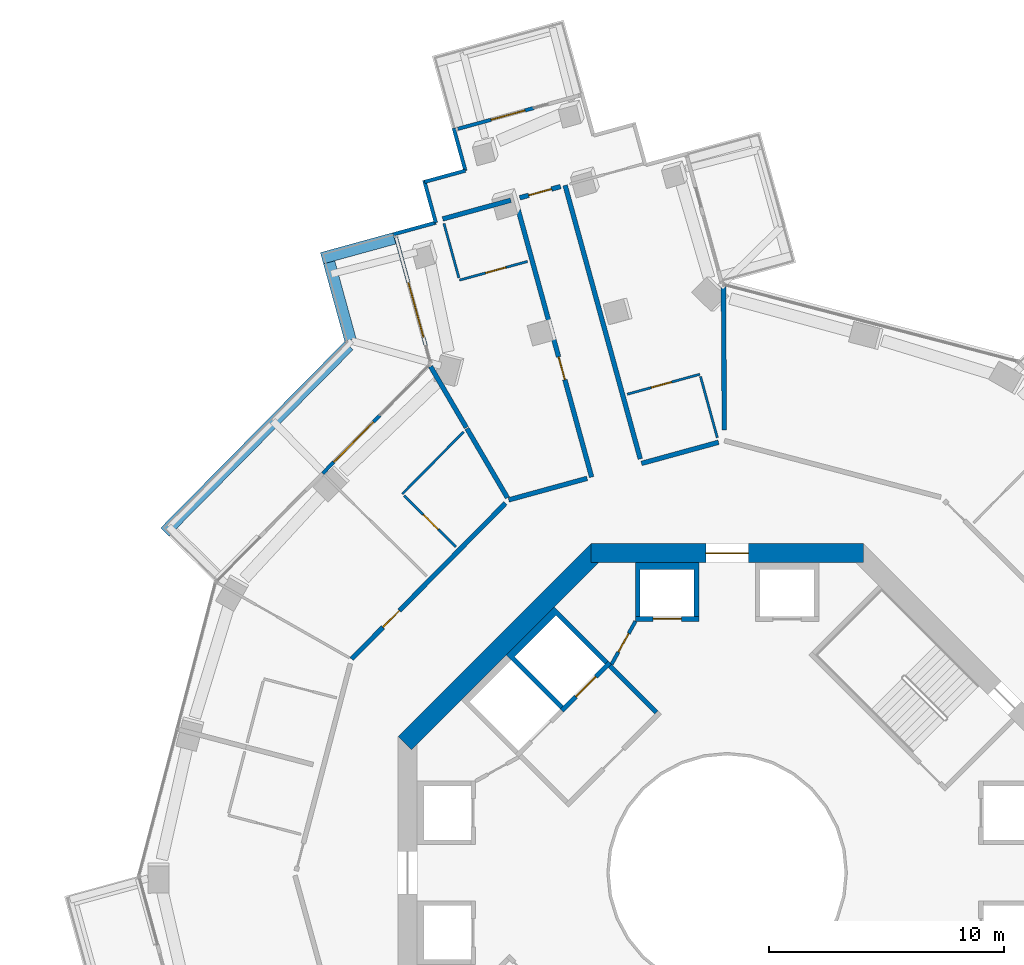
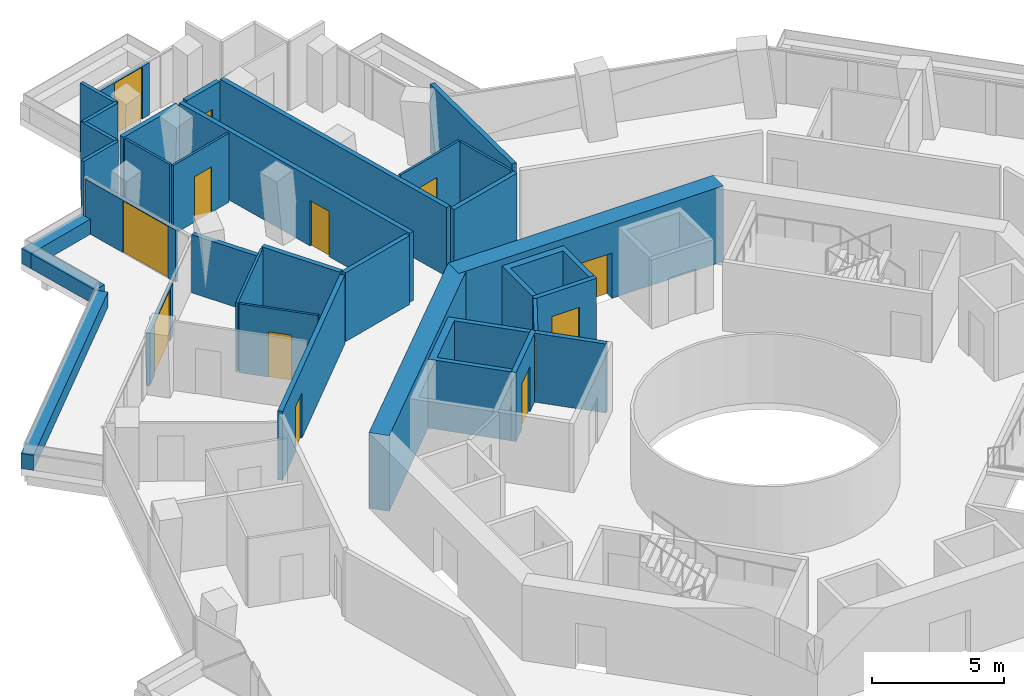
# One storey, part 21 of 26: 34 walls, 13 doors, 13 openings.
"""IFC4 building model written with IfcOpenShell, lengths in metres."""

from ifc_helpers import new_model, si_unit, direction, frame, frame_2d, origin, place, context, subcontext, project, spatial, polyline, rectangle, outline, extrude, material, layer, layer_set, type_object, element, fill, save


model = new_model("IFC4")

# Units and contexts
model_context = context("Model", 3, precision=1e-05, world=origin(), true_north=direction((0.0, 1.0)))
body_context = subcontext(model_context, "Body", "Model", "MODEL_VIEW")
ifc_project = project(units=[si_unit("LENGTHUNIT", "METRE"), si_unit("AREAUNIT", "SQUARE_METRE"), si_unit("VOLUMEUNIT", "CUBIC_METRE"), si_unit("PLANEANGLEUNIT", "RADIAN"), si_unit("MASSUNIT", "GRAM", prefix="KILO")], contexts=[model_context])

# Site, building, storey
site_placement = place(None, origin())
site = spatial("IfcSite", under=ifc_project, at=site_placement, CompositionType="ELEMENT")
building_placement = place(site_placement, origin())
building = spatial("IfcBuilding", under=site, at=building_placement, Name="Verdalira Terraces Hotel", CompositionType="ELEMENT")
storey_placement = place(building_placement, frame((0.0, 0.0, 96.5)))
storey = spatial("IfcBuildingStorey", under=building, at=storey_placement, Name="L22", CompositionType="ELEMENT", Elevation=96.5)

# Walls
ifc_material_1 = material(Name="Concrete C40", Category="concrete")
ifc_layer_1 = layer(ifc_material_1, 0.5)
ifc_layer_set_1 = layer_set([ifc_layer_1], Name="Balcony planter trough with tree")
wall_type_1 = type_object("IfcWallType", Name="Balcony planter trough with tree", PredefinedType="SOLIDWALL", material=ifc_layer_set_1)
wall_1_placement = place(storey_placement, frame((-14.156738, 26.99292, 0.0), z_axis=(0.0, 0.0, 1.0), x_axis=(-0.964295581, -0.264828308, 0.0)))
element("IfcWall", 1, at=wall_1_placement, inside=storey, type_object=wall_type_1, Name="Balcony planter", PredefinedType="SOLIDWALL", context=body_context, shape_type="SweptSolid", body=[
    extrude(rectangle(XDim=3.198975, YDim=0.5, at=frame_2d((1.599609, 0.0))), origin(), (0.0, 0.0, 1.0), 0.699951),
])
wall_2_placement = place(storey_placement, frame((-16.934082, 25.970703, 0.0), z_axis=(0.0, 0.0, 1.0), x_axis=(0.264909461, -0.96427329, 0.0)))
element("IfcWall", 2, at=wall_2_placement, inside=storey, type_object=wall_type_1, Name="Balcony planter", PredefinedType="SOLIDWALL", context=body_context, shape_type="SweptSolid", body=[
    extrude(rectangle(XDim=3.422852, YDim=0.5, at=frame_2d((1.711426, 0.0))), origin(), (0.0, 0.0, 1.0), 0.699951),
])
wall_3_placement = place(storey_placement, frame((-16.090576, 22.428223, 0.0), z_axis=(0.0, 0.0, 1.0), x_axis=(-0.702659942, -0.71152583, 0.0)))
element("IfcWall", 3, at=wall_3_placement, inside=storey, type_object=wall_type_1, Name="Balcony planter", PredefinedType="SOLIDWALL", context=body_context, shape_type="SweptSolid", body=[
    extrude(rectangle(XDim=11.152588, YDim=0.5, at=frame_2d((5.576172, 0.0))), origin(), (0.0, 0.0, 1.0), 0.699951),
])

# Wall, opening, door
ifc_material_2 = material(Name="Moisture-resistant gypsum board partition")
ifc_layer_2 = layer(ifc_material_2, 0.10009765625)
ifc_layer_set_2 = layer_set([ifc_layer_2], Name="Bathroom partition 100 mm")
wall_type_2 = type_object("IfcWallType", Name="Bathroom partition 100 mm", PredefinedType="PARTITIONING", material=ifc_layer_set_2)
wall_4_placement = place(storey_placement, frame((-13.748291, 16.047607, 0.0), z_axis=(0.0, 0.0, 1.0), x_axis=(0.711542382, -0.70264318, 0.0)))
wall_4 = element("IfcWall", 4, at=wall_4_placement, inside=storey, type_object=wall_type_2, Name="Bathroom partition", PredefinedType="PARTITIONING", context=body_context, shape_type="SweptSolid", body=[
    extrude(rectangle(XDim=3.100098, YDim=0.100098, at=frame_2d((1.550049, 0.0))), origin(), (0.0, 0.0, 1.0), 3.189941),
])
opening_1_placement = place(wall_4_placement, frame((1.149902, 0.0, 0.0)))
opening_1 = element("IfcOpeningElement", 5, at=opening_1_placement, cuts=wall_4, Name="Opening L22-109", PredefinedType="OPENING", context=body_context, shape_type="SweptSolid", body=[
    extrude(rectangle(XDim=0.899902, YDim=2.100098, at=frame_2d((0.449951, 1.050049))), frame((0.0, 0.060059, 0.0), z_axis=(0.0, -1.0, 0.0), x_axis=(1.0, 0.0, 0.0)), (0.0, 0.0, 1.0), 0.120117),
])
ifc_material_3 = material(Name="Timber door", Category="wood")
door_type_1 = type_object("IfcDoorType", Name="Bathroom door 900 x 2100", OperationType="NOTDEFINED", PredefinedType="DOOR", material=ifc_material_3)
door_1_placement = place(opening_1_placement, origin())
door_1 = element("IfcDoor", 6, at=door_1_placement, inside=storey, type_object=door_type_1, Name="Bathroom door 2203", OperationType="SINGLE_SWING_LEFT", OverallHeight=2.10009765625, OverallWidth=0.89990234375, PredefinedType="DOOR", context=body_context, shape_type="SweptSolid", body=[
    extrude(rectangle(XDim=0.899902, YDim=2.100098, at=frame_2d((0.449951, 1.050049))), frame((0.0, 0.024902, 0.0), z_axis=(0.0, -1.0, 0.0), x_axis=(1.0, 0.0, 0.0)), (0.0, 0.0, 1.0), 0.050049),
])
fill(opening_1, door_1)

# Walls
wall_5_placement = place(storey_placement, frame((-11.216797, 18.753418, 0.0), z_axis=(0.0, 0.0, 1.0), x_axis=(-0.702643586, -0.711541981, 0.0)))
element("IfcWall", 7, at=wall_5_placement, inside=storey, type_object=wall_type_2, Name="Bathroom partition", PredefinedType="PARTITIONING", context=body_context, shape_type="SweptSolid", body=[
    extrude(rectangle(XDim=3.703857, YDim=0.100098, at=frame_2d((1.852051, 0.0))), origin(), (0.0, 0.0, 1.0), 3.189941),
])
wall_6_placement = place(storey_placement, frame((-11.411865, 25.310059, 0.0), z_axis=(0.0, 0.0, 1.0), x_axis=(-0.264898756, 0.964276231, 0.0)))
element("IfcWall", 8, at=wall_6_placement, inside=storey, type_object=wall_type_2, Name="Bathroom partition", PredefinedType="PARTITIONING", context=body_context, shape_type="SweptSolid", body=[
    extrude(rectangle(XDim=2.399902, YDim=0.100098, at=frame_2d((1.199951, 0.0))), origin(), (0.0, 0.0, 1.0), 3.189941),
])

# Wall, opening, door
wall_7_placement = place(storey_placement, frame((-11.385254, 25.213623, 0.0), z_axis=(0.0, 0.0, 1.0), x_axis=(0.964277658, 0.264893559, 0.0)))
wall_7 = element("IfcWall", 9, at=wall_7_placement, inside=storey, type_object=wall_type_2, Name="Bathroom partition", PredefinedType="PARTITIONING", context=body_context, shape_type="SweptSolid", body=[
    extrude(rectangle(XDim=3.0, YDim=0.100098, at=frame_2d((1.5, 0.0))), origin(), (0.0, 0.0, 1.0), 3.189941),
])
opening_2_placement = place(wall_7_placement, frame((1.149902, 0.0, 0.0)))
opening_2 = element("IfcOpeningElement", 10, at=opening_2_placement, cuts=wall_7, Name="Opening L22-105", PredefinedType="OPENING", context=body_context, shape_type="SweptSolid", body=[
    extrude(rectangle(XDim=0.899902, YDim=2.100098, at=frame_2d((0.449951, 1.050049))), frame((0.0, 0.060059, 0.0), z_axis=(0.0, -1.0, 0.0), x_axis=(1.0, 0.0, 0.0)), (0.0, 0.0, 1.0), 0.120117),
])
door_2_placement = place(opening_2_placement, origin())
door_2 = element("IfcDoor", 11, at=door_2_placement, inside=storey, type_object=door_type_1, Name="Bathroom door 2202", OperationType="SINGLE_SWING_LEFT", OverallHeight=2.10009765625, OverallWidth=0.89990234375, PredefinedType="DOOR", context=body_context, shape_type="SweptSolid", body=[
    extrude(rectangle(XDim=0.899902, YDim=2.100098, at=frame_2d((0.449951, 1.050049))), frame((0.0, 0.024902, 0.0), z_axis=(0.0, -1.0, 0.0), x_axis=(1.0, 0.0, 0.0)), (0.0, 0.0, 1.0), 0.050049),
])
fill(opening_2, door_2)

wall_8_placement = place(storey_placement, frame((-1.15918, 21.20874, 0.0), z_axis=(0.0, 0.0, 1.0), x_axis=(-0.964283368, -0.264872773, 0.0)))
wall_8 = element("IfcWall", 12, at=wall_8_placement, inside=storey, type_object=wall_type_2, Name="Bathroom partition", PredefinedType="PARTITIONING", context=body_context, shape_type="SweptSolid", body=[
    extrude(rectangle(XDim=3.200195, YDim=0.100098, at=frame_2d((1.600098, 0.0))), origin(), (0.0, 0.0, 1.0), 3.189941),
])
opening_3_placement = place(wall_8_placement, frame((1.25, 0.0, 0.0)))
opening_3 = element("IfcOpeningElement", 13, at=opening_3_placement, cuts=wall_8, Name="Opening L22-103", PredefinedType="OPENING", context=body_context, shape_type="SweptSolid", body=[
    extrude(rectangle(XDim=0.899902, YDim=2.100098, at=frame_2d((0.449951, 1.050049))), frame((0.0, 0.060059, 0.0), z_axis=(0.0, -1.0, 0.0), x_axis=(1.0, 0.0, 0.0)), (0.0, 0.0, 1.0), 0.120117),
])
door_3_placement = place(opening_3_placement, origin())
door_3 = element("IfcDoor", 14, at=door_3_placement, inside=storey, type_object=door_type_1, Name="Bathroom door 2201", OperationType="SINGLE_SWING_LEFT", OverallHeight=2.10009765625, OverallWidth=0.89990234375, PredefinedType="DOOR", context=body_context, shape_type="SweptSolid", body=[
    extrude(rectangle(XDim=0.899902, YDim=2.100098, at=frame_2d((0.449951, 1.050049))), frame((0.0, 0.024902, 0.0), z_axis=(0.0, -1.0, 0.0), x_axis=(1.0, 0.0, 0.0)), (0.0, 0.0, 1.0), 0.050049),
])
fill(opening_3, door_3)

# Walls
wall_9_placement = place(storey_placement, frame((-0.41748, 18.508789, 0.0), z_axis=(0.0, 0.0, 1.0), x_axis=(-0.264937907, 0.964265475, 0.0)))
element("IfcWall", 15, at=wall_9_placement, inside=storey, type_object=wall_type_2, Name="Bathroom partition", PredefinedType="PARTITIONING", context=body_context, shape_type="SweptSolid", body=[
    extrude(rectangle(XDim=2.699951, YDim=0.100098, at=frame_2d((1.350098, 0.0))), origin(), (0.0, 0.0, 1.0), 3.189941),
])
ifc_material_4 = material(Name="Concrete C50", Category="concrete")
ifc_layer_3 = layer(ifc_material_4, 0.199951171875)
ifc_layer_set_3 = layer_set([ifc_layer_3], Name="Core RC wall 200 C50")
wall_type_3 = type_object("IfcWallType", Name="Core RC wall 200 C50", PredefinedType="SOLIDWALL", material=ifc_layer_set_3)
wall_10_placement = place(storey_placement, origin())
element("IfcWall", 16, at=wall_10_placement, inside=storey, type_object=wall_type_3, Name="L22 shaft wall N2", PredefinedType="SOLIDWALL", context=body_context, shape_type="SweptSolid", body=[
    extrude(outline(polyline([(-3.899902, 10.899902), (-3.899902, 13.199951), (-1.199951, 13.199951), (-1.199951, 10.899902), (-1.399902, 10.899902), (-1.399902, 12.899902), (-3.699951, 12.899902), (-3.699951, 10.899902), (-3.899902, 10.899902)])), origin(), (0.0, 0.0, 1.0), 3.189941),
])

# Wall, opening, door
wall_11_placement = place(storey_placement, frame((-1.199951, 10.800049, 0.0), z_axis=(0.0, 0.0, 1.0), x_axis=(-1.0, 0.0, 0.0)))
wall_11 = element("IfcWall", 17, at=wall_11_placement, inside=storey, type_object=wall_type_3, Name="L22 shaft front wall N2", PredefinedType="SOLIDWALL", context=body_context, shape_type="SweptSolid", body=[
    extrude(rectangle(XDim=2.699951, YDim=0.199951, at=frame_2d((1.350098, 0.0))), origin(), (0.0, 0.0, 1.0), 3.189941),
])
opening_4_placement = place(wall_11_placement, frame((0.75, 0.0, 0.0)))
opening_4 = element("IfcOpeningElement", 18, at=opening_4_placement, cuts=wall_11, Name="Opening LD-L22-804", PredefinedType="OPENING", context=body_context, shape_type="SweptSolid", body=[
    extrude(rectangle(XDim=1.199951, YDim=2.100098, at=frame_2d((0.600098, 1.050049))), frame((0.0, 0.109863, 0.0), z_axis=(0.0, -1.0, 0.0), x_axis=(1.0, 0.0, 0.0)), (0.0, 0.0, 1.0), 0.219971),
])
ifc_material_5 = material(Name="Stainless steel", Category="steel")
door_type_2 = type_object("IfcDoorType", Name="Landing door 1200 x 2100", OperationType="NOTDEFINED", PredefinedType="DOOR", material=ifc_material_5)
door_4_placement = place(opening_4_placement, origin())
door_4 = element("IfcDoor", 19, at=door_4_placement, inside=storey, type_object=door_type_2, Name="Lift landing door LR4 L22", OperationType="DOUBLE_DOOR_SLIDING", OverallHeight=2.10009765625, OverallWidth=1.199951171875, PredefinedType="DOOR", context=body_context, shape_type="SweptSolid", body=[
    extrude(rectangle(XDim=1.199951, YDim=2.100098, at=frame_2d((0.600098, 1.050049))), frame((0.0, 0.024902, 0.0), z_axis=(0.0, -1.0, 0.0), x_axis=(1.0, 0.0, 0.0)), (0.0, 0.0, 1.0), 0.050049),
])
fill(opening_4, door_4)

# Wall
wall_12_placement = place(storey_placement, origin())
element("IfcWall", 20, at=wall_12_placement, inside=storey, type_object=wall_type_3, Name="L22 shaft wall F1", PredefinedType="SOLIDWALL", context=body_context, shape_type="SweptSolid", body=[
    extrude(outline(polyline([(-9.404541, 9.263184), (-7.354004, 11.313721), (-5.055908, 9.015625), (-5.197266, 8.874268), (-7.283203, 10.960205), (-9.051025, 9.192383), (-6.965088, 7.106445), (-7.106445, 6.965088), (-9.404541, 9.263184)])), origin(), (0.0, 0.0, 1.0), 3.189941),
])

# Wall, opening, door
wall_13_placement = place(storey_placement, frame((-4.985107, 8.944824, 0.0), z_axis=(0.0, 0.0, 1.0), x_axis=(-0.707106781, -0.707106781, 0.0)))
wall_13 = element("IfcWall", 21, at=wall_13_placement, inside=storey, type_object=wall_type_3, Name="L22 shaft front wall F1", PredefinedType="SOLIDWALL", context=body_context, shape_type="SweptSolid", body=[
    extrude(rectangle(XDim=2.899902, YDim=0.199951, at=frame_2d((1.449951, 0.0))), origin(), (0.0, 0.0, 1.0), 3.189941),
])
opening_5_placement = place(wall_13_placement, frame((0.850098, 0.0, 0.0)))
opening_5 = element("IfcOpeningElement", 22, at=opening_5_placement, cuts=wall_13, Name="Opening LD-L22-807", PredefinedType="OPENING", context=body_context, shape_type="SweptSolid", body=[
    extrude(rectangle(XDim=1.199951, YDim=2.100098, at=frame_2d((0.600098, 1.050049))), frame((0.0, 0.109863, 0.0), z_axis=(0.0, -1.0, 0.0), x_axis=(1.0, 0.0, 0.0)), (0.0, 0.0, 1.0), 0.219971),
])
door_5_placement = place(opening_5_placement, origin())
door_5 = element("IfcDoor", 23, at=door_5_placement, inside=storey, type_object=door_type_2, Name="Lift landing door LF11 L22", OperationType="DOUBLE_DOOR_SLIDING", OverallHeight=2.10009765625, OverallWidth=1.199951171875, PredefinedType="DOOR", context=body_context, shape_type="SweptSolid", body=[
    extrude(rectangle(XDim=1.199951, YDim=2.100098, at=frame_2d((0.600098, 1.050049))), frame((0.0, 0.024902, 0.0), z_axis=(0.0, -1.0, 0.0), x_axis=(1.0, 0.0, 0.0)), (0.0, 0.0, 1.0), 0.050049),
])
fill(opening_5, door_5)

# Wall
wall_14_placement = place(storey_placement, frame((-3.005127, 6.823486, 0.0), z_axis=(0.0, 0.0, 1.0), x_axis=(-0.707106781, 0.707106781, 0.0)))
element("IfcWall", 24, at=wall_14_placement, inside=storey, type_object=wall_type_3, Name="L22 fire lobby wall", PredefinedType="SOLIDWALL", context=body_context, shape_type="SweptSolid", body=[
    extrude(rectangle(XDim=2.800049, YDim=0.199951, at=frame_2d((1.399902, 0.0))), origin(), (0.0, 0.0, 1.0), 3.189941),
])

# Wall, opening, door
ifc_material_6 = material(Name="Gypsum board partition")
ifc_layer_4 = layer(ifc_material_6, 0.14990234375)
ifc_layer_set_4 = layer_set([ifc_layer_4], Name="Core partition 150 mm")
wall_type_4 = type_object("IfcWallType", Name="Core partition 150 mm", PredefinedType="PARTITIONING", material=ifc_layer_set_4)
wall_15_placement = place(storey_placement, frame((-3.899902, 10.699951, 0.0), z_axis=(0.0, 0.0, 1.0), x_axis=(-0.485692555, -0.874129705, 0.0)))
wall_15 = element("IfcWall", 25, at=wall_15_placement, inside=storey, type_object=wall_type_4, Name="Room partition L22", PredefinedType="PARTITIONING", context=body_context, shape_type="SweptSolid", body=[
    extrude(rectangle(XDim=2.088623, YDim=0.149902, at=frame_2d((1.044434, 0.0))), origin(), (0.0, 0.0, 1.0), 3.189941),
])
opening_6_placement = place(wall_15_placement, frame((0.594238, 0.0, 0.0)))
opening_6 = element("IfcOpeningElement", 26, at=opening_6_placement, cuts=wall_15, Name="Opening L22-820", PredefinedType="OPENING", context=body_context, shape_type="SweptSolid", body=[
    extrude(rectangle(XDim=0.899902, YDim=2.100098, at=frame_2d((0.449951, 1.050049))), frame((0.0, 0.084961, 0.0), z_axis=(0.0, -1.0, 0.0), x_axis=(1.0, 0.0, 0.0)), (0.0, 0.0, 1.0), 0.169922),
])
ifc_material_7 = material(Name="Steel fire door", Category="steel")
door_type_3 = type_object("IfcDoorType", Name="Core room door 900 x 2100", OperationType="NOTDEFINED", PredefinedType="DOOR", material=ifc_material_7)
door_6_placement = place(opening_6_placement, origin())
door_6 = element("IfcDoor", 27, at=door_6_placement, inside=storey, type_object=door_type_3, Name="Door L22 room2", OperationType="SINGLE_SWING_LEFT", OverallHeight=2.10009765625, OverallWidth=0.89990234375, PredefinedType="DOOR", context=body_context, shape_type="SweptSolid", body=[
    extrude(rectangle(XDim=0.899902, YDim=2.100098, at=frame_2d((0.449951, 1.050049))), frame((0.0, 0.024902, 0.0), z_axis=(0.0, -1.0, 0.0), x_axis=(1.0, 0.0, 0.0)), (0.0, 0.0, 1.0), 0.050049),
])
fill(opening_6, door_6)

ifc_material_8 = material(Name="Concrete C70", Category="concrete")
ifc_layer_5 = layer(ifc_material_8, 0.800048828125)
ifc_layer_set_5 = layer_set([ifc_layer_5], Name="Core wall 800 C70")
wall_type_5 = type_object("IfcWallType", Name="Core wall 800 C70", PredefinedType="SHEAR", material=ifc_layer_set_5)
wall_16_placement = place(storey_placement, frame((5.799072, 13.600098, 0.0), z_axis=(0.0, 0.0, 1.0), x_axis=(-1.0, 0.0, 0.0)))
wall_16 = element("IfcWall", 28, at=wall_16_placement, inside=storey, type_object=wall_type_5, Name="Core wall CW-L22-3", PredefinedType="SHEAR", context=body_context, shape_type="SweptSolid", body=[
    extrude(rectangle(XDim=11.598145, YDim=0.800049, at=frame_2d((5.799072, 0.0))), origin(), (0.0, 0.0, 1.0), 3.5),
])
opening_7_placement = place(wall_16_placement, frame((4.898926, 0.0, 0.0)))
opening_7 = element("IfcOpeningElement", 29, at=opening_7_placement, cuts=wall_16, Name="Opening L22-813", PredefinedType="OPENING", context=body_context, shape_type="SweptSolid", body=[
    extrude(rectangle(XDim=1.800049, YDim=2.100098, at=frame_2d((0.899902, 1.050049))), frame((0.0, 0.409912, 0.0), z_axis=(0.0, -1.0, 0.0), x_axis=(1.0, 0.0, 0.0)), (0.0, 0.0, 1.0), 0.820068),
])
ifc_material_9 = material(Name="Steel fire door", Category="steel")
door_type_4 = type_object("IfcDoorType", Name="Core entry door pair 1800 x 2100", OperationType="NOTDEFINED", PredefinedType="DOOR", material=ifc_material_9)
door_7_placement = place(opening_7_placement, origin())
door_7 = element("IfcDoor", 30, at=door_7_placement, inside=storey, type_object=door_type_4, Name="Core entry door L22 2", OperationType="DOUBLE_DOOR_SINGLE_SWING", OverallHeight=2.10009765625, OverallWidth=1.800048828125, PredefinedType="DOOR", context=body_context, shape_type="SweptSolid", body=[
    extrude(rectangle(XDim=1.800049, YDim=2.100098, at=frame_2d((0.899902, 1.050049))), frame((0.0, 0.024902, 0.0), z_axis=(0.0, -1.0, 0.0), x_axis=(1.0, 0.0, 0.0)), (0.0, 0.0, 1.0), 0.050049),
])
fill(opening_7, door_7)

# Walls
wall_17_placement = place(storey_placement, frame((-5.516113, 13.717285, 0.0), z_axis=(0.0, 0.0, 1.0), x_axis=(-0.707106781, -0.707106781, 0.0)))
element("IfcWall", 31, at=wall_17_placement, inside=storey, type_object=wall_type_5, Name="Core wall CW-L22-4", PredefinedType="SHEAR", context=body_context, shape_type="SweptSolid", body=[
    extrude(rectangle(XDim=11.598145, YDim=0.800049, at=frame_2d((5.799072, 0.0))), origin(), (0.0, 0.0, 1.0), 3.5),
])
ifc_material_10 = material(Name="Fire-rated gypsum board wall")
ifc_layer_6 = layer(ifc_material_10, 0.199951171875)
ifc_layer_set_6 = layer_set([ifc_layer_6], Name="Demising wall 200 mm")
wall_type_6 = type_object("IfcWallType", Name="Demising wall 200 mm", PredefinedType="SOLIDWALL", material=ifc_layer_set_6)
wall_18_placement = place(storey_placement, frame((-9.205811, 28.612305, 0.0), z_axis=(0.0, 0.0, 1.0), x_axis=(-0.964280162, -0.264884444, 0.0)))
element("IfcWall", 32, at=wall_18_placement, inside=storey, type_object=wall_type_6, Name="Demising wall", PredefinedType="SOLIDWALL", context=body_context, shape_type="SweptSolid", body=[
    extrude(rectangle(XDim=3.003662, YDim=0.199951, at=frame_2d((1.501953, 0.0))), origin(), (0.0, 0.0, 1.0), 3.189941),
])
wall_19_placement = place(storey_placement, frame((-9.344482, 15.952881, 0.0), z_axis=(0.0, 0.0, 1.0), x_axis=(-0.505424382, 0.862870903, 0.0)))
element("IfcWall", 33, at=wall_19_placement, inside=storey, type_object=wall_type_6, Name="Demising wall", PredefinedType="SOLIDWALL", context=body_context, shape_type="SweptSolid", body=[
    extrude(rectangle(XDim=3.418457, YDim=0.199951, at=frame_2d((1.709229, 0.0))), origin(), (0.0, 0.0, 1.0), 3.189941),
])
wall_20_placement = place(storey_placement, frame((-0.156982, 24.963623, 0.0), z_axis=(0.0, 0.0, 1.0), x_axis=(0.006290436, -0.999980215, 0.0)))
element("IfcWall", 34, at=wall_20_placement, inside=storey, type_object=wall_type_6, Name="Demising wall", PredefinedType="SOLIDWALL", context=body_context, shape_type="SweptSolid", body=[
    extrude(rectangle(XDim=6.13208, YDim=0.199951, at=frame_2d((3.065918, 0.0))), origin(), (0.0, 0.0, 1.0), 3.189941),
])
ifc_material_11 = material(Name="Fire-rated gypsum board wall")
ifc_layer_7 = layer(ifc_material_11, 0.199951171875)
ifc_layer_set_7 = layer_set([ifc_layer_7], Name="Demising wall 200 mm to beam soffit")
wall_type_7 = type_object("IfcWallType", Name="Demising wall 200 mm to beam soffit", PredefinedType="SOLIDWALL", material=ifc_layer_set_7)
wall_21_placement = place(storey_placement, frame((-11.095703, 18.942139, 0.0), z_axis=(0.0, 0.0, 1.0), x_axis=(-0.505382416, 0.862895482, 0.0)))
element("IfcWall", 35, at=wall_21_placement, inside=storey, type_object=wall_type_7, Name="Demising wall", PredefinedType="SOLIDWALL", context=body_context, shape_type="SweptSolid", body=[
    extrude(rectangle(XDim=3.011475, YDim=0.199951, at=frame_2d((1.505859, 0.0))), origin(), (0.0, 0.0, 1.0), 2.689941),
])

# Wall, opening, door
ifc_material_12 = material(Name="Fire-rated gypsum board wall")
ifc_layer_8 = layer(ifc_material_12, 0.199951171875)
ifc_layer_set_8 = layer_set([ifc_layer_8], Name="Guest corridor wall 200 mm")
wall_type_8 = type_object("IfcWallType", Name="Guest corridor wall 200 mm", PredefinedType="SOLIDWALL", material=ifc_layer_set_8)
wall_22_placement = place(storey_placement, frame((-15.979004, 9.092285, 0.0), z_axis=(0.0, 0.0, 1.0), x_axis=(0.702650979, 0.71153468, 0.0)))
wall_22 = element("IfcWall", 36, at=wall_22_placement, inside=storey, type_object=wall_type_8, Name="Guest corridor wall", PredefinedType="SOLIDWALL", context=body_context, shape_type="SweptSolid", body=[
    extrude(rectangle(XDim=9.316406, YDim=0.199951, at=frame_2d((4.658203, 0.0))), origin(), (0.0, 0.0, 1.0), 3.189941),
])
opening_8_placement = place(wall_22_placement, frame((1.899902, 0.0, 0.0)))
opening_8 = element("IfcOpeningElement", 37, at=opening_8_placement, cuts=wall_22, Name="Opening L22-106", PredefinedType="OPENING", context=body_context, shape_type="SweptSolid", body=[
    extrude(rectangle(XDim=1.0, YDim=2.100098, at=frame_2d((0.5, 1.050049))), frame((0.0, 0.109863, 0.0), z_axis=(0.0, -1.0, 0.0), x_axis=(1.0, 0.0, 0.0)), (0.0, 0.0, 1.0), 0.219971),
])
ifc_material_13 = material(Name="Timber fire door", Category="wood")
door_type_5 = type_object("IfcDoorType", Name="Guest entry door 1000 x 2100", OperationType="NOTDEFINED", PredefinedType="DOOR", material=ifc_material_13)
door_8_placement = place(opening_8_placement, origin())
door_8 = element("IfcDoor", 38, at=door_8_placement, inside=storey, type_object=door_type_5, Name="Guest entry door 2203", OperationType="SINGLE_SWING_LEFT", OverallHeight=2.10009765625, OverallWidth=1.0, PredefinedType="DOOR", context=body_context, shape_type="SweptSolid", body=[
    extrude(rectangle(XDim=1.0, YDim=2.100098, at=frame_2d((0.5, 1.050049))), frame((0.0, 0.024902, 0.0), z_axis=(0.0, -1.0, 0.0), x_axis=(1.0, 0.0, 0.0)), (0.0, 0.0, 1.0), 0.050049),
])
fill(opening_8, door_8)

wall_23_placement = place(storey_placement, frame((-8.823975, 28.717285, 0.0), z_axis=(0.0, 0.0, 1.0), x_axis=(0.9642902, 0.264847899, 0.0)))
wall_23 = element("IfcWall", 39, at=wall_23_placement, inside=storey, type_object=wall_type_8, Name="Guest corridor wall", PredefinedType="SOLIDWALL", context=body_context, shape_type="SweptSolid", body=[
    extrude(rectangle(XDim=1.802246, YDim=0.199951, at=frame_2d((0.901123, 0.0))), origin(), (0.0, 0.0, 1.0), 3.189941),
])
opening_9_placement = place(wall_23_placement, frame((0.399902, 0.0, 0.0)))
opening_9 = element("IfcOpeningElement", 40, at=opening_9_placement, cuts=wall_23, Name="Opening L22-101", PredefinedType="OPENING", context=body_context, shape_type="SweptSolid", body=[
    extrude(rectangle(XDim=1.0, YDim=2.100098, at=frame_2d((0.5, 1.050049))), frame((0.0, 0.109863, 0.0), z_axis=(0.0, -1.0, 0.0), x_axis=(1.0, 0.0, 0.0)), (0.0, 0.0, 1.0), 0.219971),
])
door_9_placement = place(opening_9_placement, origin())
door_9 = element("IfcDoor", 41, at=door_9_placement, inside=storey, type_object=door_type_5, Name="Guest entry door 2201", OperationType="SINGLE_SWING_LEFT", OverallHeight=2.10009765625, OverallWidth=1.0, PredefinedType="DOOR", context=body_context, shape_type="SweptSolid", body=[
    extrude(rectangle(XDim=1.0, YDim=2.100098, at=frame_2d((0.5, 1.050049))), frame((0.0, 0.024902, 0.0), z_axis=(0.0, -1.0, 0.0), x_axis=(1.0, 0.0, 0.0)), (0.0, 0.0, 1.0), 0.050049),
])
fill(opening_9, door_9)

# Wall
wall_24_placement = place(storey_placement, frame((-5.95752, 16.779785, 0.0), z_axis=(0.0, 0.0, 1.0), x_axis=(-0.964263577, -0.264944813, 0.0)))
element("IfcWall", 42, at=wall_24_placement, inside=storey, type_object=wall_type_8, Name="Guest corridor wall", PredefinedType="SOLIDWALL", context=body_context, shape_type="SweptSolid", body=[
    extrude(rectangle(XDim=3.458252, YDim=0.199951, at=frame_2d((1.729004, 0.0))), origin(), (0.0, 0.0, 1.0), 3.189941),
])

# Wall, opening, door
wall_25_placement = place(storey_placement, frame((-5.764648, 16.83252, 0.0), z_axis=(0.0, 0.0, 1.0), x_axis=(-0.264881321, 0.96428102, 0.0)))
wall_25 = element("IfcWall", 43, at=wall_25_placement, inside=storey, type_object=wall_type_8, Name="Guest corridor wall", PredefinedType="SOLIDWALL", context=body_context, shape_type="SweptSolid", body=[
    extrude(rectangle(XDim=12.270508, YDim=0.199951, at=frame_2d((6.135254, 0.0))), origin(), (0.0, 0.0, 1.0), 3.189941),
])
opening_10_placement = place(wall_25_placement, frame((4.300049, 0.0, 0.0)))
opening_10 = element("IfcOpeningElement", 44, at=opening_10_placement, cuts=wall_25, Name="Opening L22-104", PredefinedType="OPENING", context=body_context, shape_type="SweptSolid", body=[
    extrude(rectangle(XDim=1.0, YDim=2.100098, at=frame_2d((0.5, 1.050049))), frame((0.0, 0.109863, 0.0), z_axis=(0.0, -1.0, 0.0), x_axis=(1.0, 0.0, 0.0)), (0.0, 0.0, 1.0), 0.219971),
])
door_10_placement = place(opening_10_placement, origin())
door_10 = element("IfcDoor", 45, at=door_10_placement, inside=storey, type_object=door_type_5, Name="Guest entry door 2202", OperationType="SINGLE_SWING_LEFT", OverallHeight=2.10009765625, OverallWidth=1.0, PredefinedType="DOOR", context=body_context, shape_type="SweptSolid", body=[
    extrude(rectangle(XDim=1.0, YDim=2.100098, at=frame_2d((0.5, 1.050049))), frame((0.0, 0.024902, 0.0), z_axis=(0.0, -1.0, 0.0), x_axis=(1.0, 0.0, 0.0)), (0.0, 0.0, 1.0), 0.050049),
])
fill(opening_10, door_10)

# Walls
wall_26_placement = place(storey_placement, frame((-3.696045, 17.608154, 0.0), z_axis=(0.0, 0.0, 1.0), x_axis=(-0.264881463, 0.964280981, 0.0)))
element("IfcWall", 46, at=wall_26_placement, inside=storey, type_object=wall_type_8, Name="Guest corridor wall", PredefinedType="SOLIDWALL", context=body_context, shape_type="SweptSolid", body=[
    extrude(rectangle(XDim=12.070557, YDim=0.199951, at=frame_2d((6.035156, 0.0))), origin(), (0.0, 0.0, 1.0), 3.189941),
])
wall_27_placement = place(storey_placement, frame((-0.364502, 18.315918, 0.0), z_axis=(0.0, 0.0, 1.0), x_axis=(-0.964283368, -0.264872773, 0.0)))
element("IfcWall", 47, at=wall_27_placement, inside=storey, type_object=wall_type_8, Name="Guest corridor wall", PredefinedType="SOLIDWALL", context=body_context, shape_type="SweptSolid", body=[
    extrude(rectangle(XDim=3.400146, YDim=0.199951, at=frame_2d((1.700195, 0.0))), origin(), (0.0, 0.0, 1.0), 3.189941),
])
ifc_material_14 = material(Name="Terracotta cladding", Category="masonry")
ifc_layer_9 = layer(ifc_material_14, 0.14990234375)
ifc_layer_set_9 = layer_set([ifc_layer_9], Name="Terracotta clad wall 150")
wall_type_9 = type_object("IfcWallType", Name="Terracotta clad wall 150", PredefinedType="SOLIDWALL", material=ifc_layer_set_9)
wall_28_placement = place(storey_placement, frame((-11.631836, 31.679199, 0.0), z_axis=(0.0, 0.0, 1.0), x_axis=(0.264956752, -0.964260297, 0.0)))
element("IfcWall", 48, at=wall_28_placement, inside=storey, type_object=wall_type_9, Name="Terracotta cladding wall", PredefinedType="SOLIDWALL", context=body_context, shape_type="SweptSolid", body=[
    extrude(rectangle(XDim=1.875, YDim=0.149902, at=frame_2d((0.9375, 0.0))), origin(), (0.0, 0.0, 1.0), 3.189941),
])
wall_29_placement = place(storey_placement, frame((-11.13501, 29.871094, 0.0), z_axis=(0.0, 0.0, 1.0), x_axis=(-0.964283368, -0.264872773, 0.0)))
element("IfcWall", 49, at=wall_29_placement, inside=storey, type_object=wall_type_9, Name="Terracotta cladding wall", PredefinedType="SOLIDWALL", context=body_context, shape_type="SweptSolid", body=[
    extrude(rectangle(XDim=1.800049, YDim=0.149902, at=frame_2d((0.899902, 0.0))), origin(), (0.0, 0.0, 1.0), 3.189941),
])
for number, where, z_axis, x_axis, name in (
    (50, (-12.890625, 29.466797, 0.0), (0.0, 0.0, 1.0), (0.264835686, -0.964293555, 0.0), "Terracotta cladding wall"),
    (51, (-12.394043, 27.658691, 0.0), (0.0, 0.0, 1.0), (-0.964293555, -0.264835686, 0.0), "Terracotta cladding wall"),
):
    element("IfcWall", number, at=place(storey_placement, frame(where, z_axis=z_axis, x_axis=x_axis)), inside=storey, type_object=wall_type_9, Name=name, PredefinedType="SOLIDWALL", context=body_context, shape_type="SweptSolid", body=[
        extrude(rectangle(XDim=1.875, YDim=0.149902, at=frame_2d((0.9375, 0.0))), origin(), (0.0, 0.0, 1.0), 3.189941),
    ])

# Wall, opening, door
ifc_material_15 = material(Name="Terracotta cladding", Category="masonry")
ifc_layer_10 = layer(ifc_material_15, 0.14990234375)
ifc_layer_set_10 = layer_set([ifc_layer_10], Name="Terracotta door pier 150")
wall_type_10 = type_object("IfcWallType", Name="Terracotta door pier 150", PredefinedType="SOLIDWALL", material=ifc_layer_set_10)
wall_30_placement = place(storey_placement, frame((-8.212891, 32.540527, 0.0), z_axis=(0.0, 0.0, 1.0), x_axis=(-0.964284071, -0.264870215, 0.0)))
wall_30 = element("IfcWall", 52, at=wall_30_placement, inside=storey, type_object=wall_type_10, Name="Terracotta door pier", PredefinedType="SOLIDWALL", context=body_context, shape_type="SweptSolid", body=[
    extrude(rectangle(XDim=3.369873, YDim=0.149902, at=frame_2d((1.685059, 0.0))), origin(), (0.0, 0.0, 1.0), 2.425049),
])
opening_11_placement = place(wall_30_placement, frame((0.399902, 0.0, 0.0)))
opening_11 = element("IfcOpeningElement", 53, at=opening_11_placement, cuts=wall_30, Name="Opening L22-B02", PredefinedType="OPENING", context=body_context, shape_type="SweptSolid", body=[
    extrude(rectangle(XDim=1.5, YDim=2.399902, at=frame_2d((0.75, 1.199951))), frame((0.0, 0.084961, 0.0), z_axis=(0.0, -1.0, 0.0), x_axis=(1.0, 0.0, 0.0)), (0.0, 0.0, 1.0), 0.169922),
])
ifc_material_16 = material(Name="Clear glass", Category="glass")
door_type_6 = type_object("IfcDoorType", Name="Balcony sliding door 1500x2400", OperationType="NOTDEFINED", PredefinedType="DOOR", material=ifc_material_16)
door_11_placement = place(opening_11_placement, origin())
door_11 = element("IfcDoor", 54, at=door_11_placement, inside=storey, type_object=door_type_6, Name="Balcony sliding door", OperationType="SLIDING_TO_RIGHT", OverallHeight=2.39990234375, OverallWidth=1.5, PredefinedType="DOOR", context=body_context, shape_type="SweptSolid", body=[
    extrude(rectangle(XDim=1.5, YDim=2.399902, at=frame_2d((0.75, 1.199951))), frame((0.0, 0.024902, 0.0), z_axis=(0.0, -1.0, 0.0), x_axis=(1.0, 0.0, 0.0)), (0.0, 0.0, 1.0), 0.050049),
])
fill(opening_11, door_11)

wall_31_placement = place(storey_placement, frame((-14.091309, 27.041992, 0.0), z_axis=(0.0, 0.0, 1.0), x_axis=(0.264861417, -0.964286487, 0.0)))
wall_31 = element("IfcWall", 55, at=wall_31_placement, inside=storey, type_object=wall_type_10, Name="Terracotta door pier", PredefinedType="SOLIDWALL", context=body_context, shape_type="SweptSolid", body=[
    extrude(rectangle(XDim=4.807861, YDim=0.149902, at=frame_2d((2.403809, 0.0))), origin(), (0.0, 0.0, 1.0), 2.425049),
])
opening_12_placement = place(wall_31_placement, frame((2.008057, 0.0, 0.0)))
opening_12 = element("IfcOpeningElement", 56, at=opening_12_placement, cuts=wall_31, Name="Opening L22-B03", PredefinedType="OPENING", context=body_context, shape_type="SweptSolid", body=[
    extrude(rectangle(XDim=2.399902, YDim=2.399902, at=frame_2d((1.199951, 1.199951))), frame((0.0, 0.084961, 0.0), z_axis=(0.0, -1.0, 0.0), x_axis=(1.0, 0.0, 0.0)), (0.0, 0.0, 1.0), 0.169922),
])
ifc_material_17 = material(Name="Clear glass", Category="glass")
door_type_7 = type_object("IfcDoorType", Name="Balcony sliding door 2400x2400", OperationType="NOTDEFINED", PredefinedType="DOOR", material=ifc_material_17)
door_12_placement = place(opening_12_placement, origin())
door_12 = element("IfcDoor", 57, at=door_12_placement, inside=storey, type_object=door_type_7, Name="Balcony sliding door", OperationType="SLIDING_TO_LEFT", OverallHeight=2.39990234375, OverallWidth=2.39990234375, PredefinedType="DOOR", context=body_context, shape_type="SweptSolid", body=[
    extrude(rectangle(XDim=2.399902, YDim=2.399902, at=frame_2d((1.199951, 1.199951))), frame((0.0, 0.024902, 0.0), z_axis=(0.0, -1.0, 0.0), x_axis=(1.0, 0.0, 0.0)), (0.0, 0.0, 1.0), 0.050049),
])
fill(opening_12, door_12)

wall_32_placement = place(storey_placement, frame((-14.765625, 19.465088, 0.0), z_axis=(0.0, 0.0, 1.0), x_axis=(-0.702631444, -0.711553971, 0.0)))
wall_32 = element("IfcWall", 58, at=wall_32_placement, inside=storey, type_object=wall_type_10, Name="Terracotta door pier", PredefinedType="SOLIDWALL", context=body_context, shape_type="SweptSolid", body=[
    extrude(rectangle(XDim=3.475098, YDim=0.149902, at=frame_2d((1.737549, 0.0))), origin(), (0.0, 0.0, 1.0), 2.425049),
])
opening_13_placement = place(wall_32_placement, frame((0.399902, 0.0, 0.0)))
opening_13 = element("IfcOpeningElement", 59, at=opening_13_placement, cuts=wall_32, Name="Opening L22-B04", PredefinedType="OPENING", context=body_context, shape_type="SweptSolid", body=[
    extrude(rectangle(XDim=2.399902, YDim=2.399902, at=frame_2d((1.199951, 1.199951))), frame((0.0, 0.084961, 0.0), z_axis=(0.0, -1.0, 0.0), x_axis=(1.0, 0.0, 0.0)), (0.0, 0.0, 1.0), 0.169922),
])
door_13_placement = place(opening_13_placement, origin())
door_13 = element("IfcDoor", 60, at=door_13_placement, inside=storey, type_object=door_type_7, Name="Balcony sliding door", OperationType="SLIDING_TO_RIGHT", OverallHeight=2.39990234375, OverallWidth=2.39990234375, PredefinedType="DOOR", context=body_context, shape_type="SweptSolid", body=[
    extrude(rectangle(XDim=2.399902, YDim=2.399902, at=frame_2d((1.199951, 1.199951))), frame((0.0, 0.024902, 0.0), z_axis=(0.0, -1.0, 0.0), x_axis=(1.0, 0.0, 0.0)), (0.0, 0.0, 1.0), 0.050049),
])
fill(opening_13, door_13)

save(model, "model.ifc")
